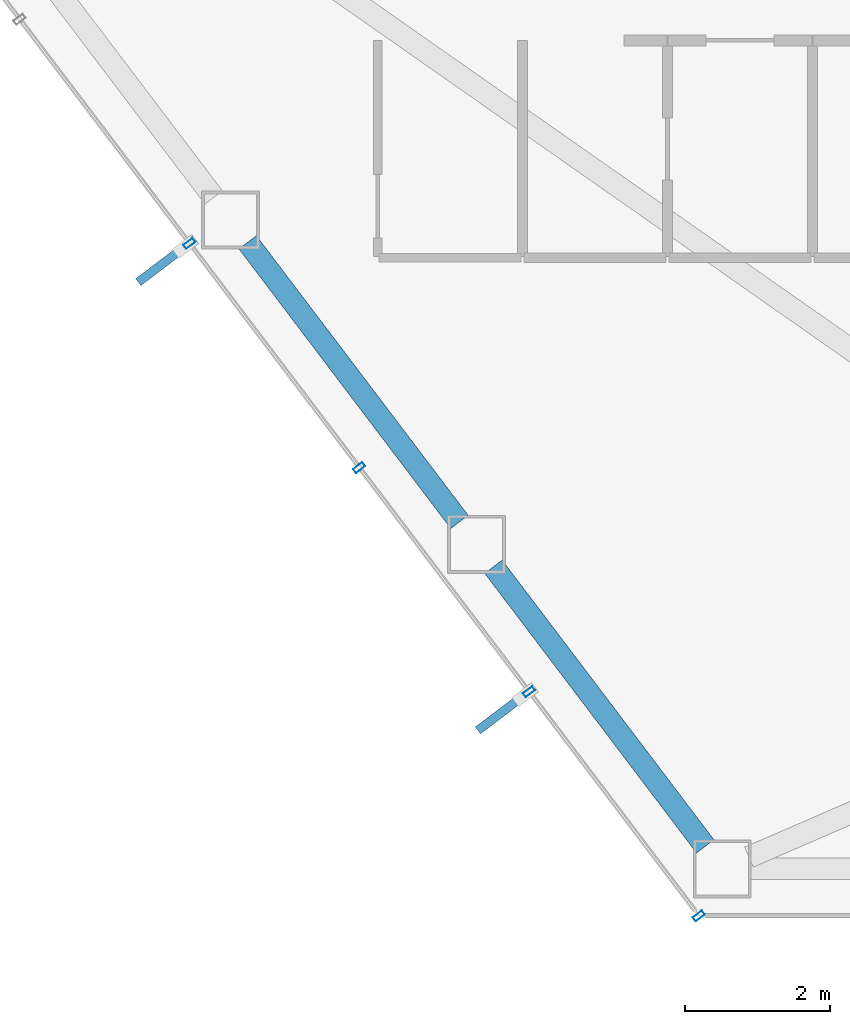
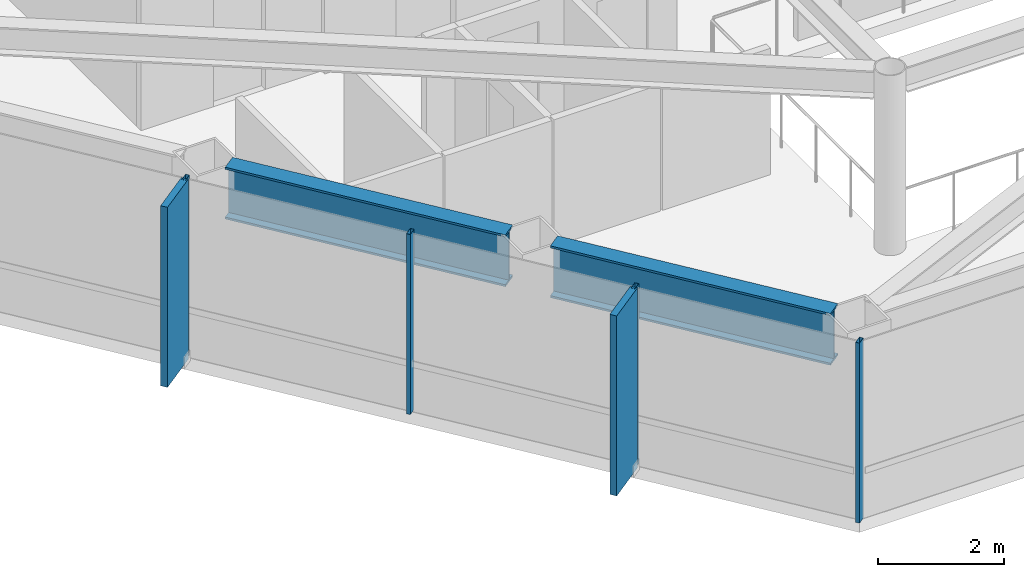
# One storey, part 2 of 28: 6 members, 2 beams, 1 element without a shape of its own.
"""IFC4 building model written with IfcOpenShell, lengths in metres."""

import ifcopenshell
import ifcopenshell.guid

model = None  # the IFC model being written
_history = None  # IfcOwnerHistory: only IFC2X3 demands one
_inside = {}  # id of a spatial element -> (the spatial element, [elements in it])
_under = {}  # id of a project, library or spatial element -> (it, [spatial elements below it])
_declared = {}  # id of a project -> (the project, [libraries it declares])
_typed = {}  # id of a type object -> (the type object, [elements of that type])
_made_of = {}  # id of a material, layer set ... -> (it, [elements and type objects made of it])


def new_model(schema):
    """Start an empty IFC model of exactly this schema.

    Asked for "IFC4X3", IfcOpenShell would pick the latest addendum, in which some entities
    have other attributes; the version numbers below select the first issue.
    IFC2X3 requires an IfcOwnerHistory on every rooted entity: one is made here for all.
    """
    global model, _history
    if schema == "IFC4X3":
        model = ifcopenshell.file(schema_version=(4, 3, 0, 0))
    else:
        model = ifcopenshell.file(schema=schema)
    _inside.clear()
    _under.clear()
    _declared.clear()
    _typed.clear()
    _made_of.clear()
    _history = None
    if model.schema == "IFC2X3":
        org = make("IfcOrganization", Name="unknown")
        user = make(
            "IfcPersonAndOrganization",
            ThePerson=make("IfcPerson", FamilyName="unknown"),
            TheOrganization=org,
        )
        app = make(
            "IfcApplication",
            ApplicationDeveloper=org,
            Version="unknown",
            ApplicationFullName="unknown",
            ApplicationIdentifier="unknown",
        )
        _history = make(
            "IfcOwnerHistory",
            OwningUser=user,
            OwningApplication=app,
            ChangeAction="ADDED",
            CreationDate=0,
        )
    return model


def make(cls, **values):
    """One entity of the class cls with the attributes given. An attribute that is None is left unset."""
    return model.create_entity(
        cls, **{name: value for name, value in values.items() if value is not None}
    )


def rooted(cls, **values):
    """An entity with a GlobalId (a new one), such as an element, a storey or a relation."""
    return make(cls, GlobalId=ifcopenshell.guid.new(), OwnerHistory=_history, **values)


def si_unit(unit_type, name, prefix=None):
    """IfcSIUnit, for example si_unit("LENGTHUNIT", "METRE", prefix="MILLI")."""
    return make("IfcSIUnit", UnitType=unit_type, Prefix=prefix, Name=name)


def assignment(units):
    """IfcUnitAssignment: the units of a project."""
    return None if units is None else make("IfcUnitAssignment", Units=units)


def point(xyz):
    """IfcCartesianPoint."""
    return None if xyz is None else make("IfcCartesianPoint", Coordinates=xyz)


def direction(xyz):
    """IfcDirection."""
    return None if xyz is None else make("IfcDirection", DirectionRatios=xyz)


def frame(location, z_axis=None, x_axis=None):
    """IfcAxis2Placement3D, a coordinate frame: its origin and axes. An axis left out is left unset."""
    return make(
        "IfcAxis2Placement3D",
        Location=point(location),
        Axis=direction(z_axis),
        RefDirection=direction(x_axis),
    )


def frame_2d(location, x_axis=None):
    """IfcAxis2Placement2D, a coordinate frame in the plane: its origin and x axis."""
    return make(
        "IfcAxis2Placement2D", Location=point(location), RefDirection=direction(x_axis)
    )


def origin():
    """The frame at (0, 0, 0) with its axes left unset."""
    return frame((0.0, 0.0, 0.0))


def origin_2d():
    """The frame at (0, 0) in the plane with its x axis left unset."""
    return frame_2d((0.0, 0.0))


def place(relative_to, where):
    """IfcLocalPlacement: puts the frame where relative to a parent placement (None: the world)."""
    return make(
        "IfcLocalPlacement", PlacementRelTo=relative_to, RelativePlacement=where
    )


def context(
    kind, dimensions, precision=None, world=None, true_north=None, identifier=None
):
    """IfcGeometricRepresentationContext, for example the 3D "Model" context."""
    return make(
        "IfcGeometricRepresentationContext",
        ContextIdentifier=identifier,
        ContextType=kind,
        CoordinateSpaceDimension=dimensions,
        Precision=precision,
        WorldCoordinateSystem=world,
        TrueNorth=true_north,
    )


def subcontext(parent, identifier, kind, view, scale=None):
    """IfcGeometricRepresentationSubContext, for example "Body" below "Model"."""
    return make(
        "IfcGeometricRepresentationSubContext",
        ContextIdentifier=identifier,
        ContextType=kind,
        ParentContext=parent,
        TargetScale=scale,
        TargetView=view,
    )


def project(units=None, contexts=None):
    """IfcProject with its units and contexts."""
    return rooted(
        "IfcProject",
        Name="project",
        RepresentationContexts=contexts,
        UnitsInContext=assignment(units),
    )


def spatial(cls, under=None, at=None, **own):
    """A site, building, storey or space (cls), placed at a placement, below another one or the project."""
    s = rooted(cls, ObjectPlacement=at, **own)
    if under is not None:
        _under.setdefault(under.id(), (under, []))[1].append(s)
    return s


def profile(cls, at=None, kind="AREA", **sizes):
    """A parametric profile (cls). Its sizes go by their IFC names, for example OverallWidth=200.0."""
    return make(cls, ProfileType=kind, Position=at, **sizes)


def rectangle(**sizes):
    """IfcRectangleProfileDef."""
    return profile("IfcRectangleProfileDef", **sizes)


def hollow_rectangle(**sizes):
    """IfcRectangleHollowProfileDef."""
    return profile("IfcRectangleHollowProfileDef", **sizes)


def i_section(**sizes):
    """IfcIShapeProfileDef."""
    return profile("IfcIShapeProfileDef", **sizes)


def extrude(swept, where, along, depth):
    """IfcExtrudedAreaSolid: the profile swept, set in the frame where, extruded along a direction by depth."""
    return make(
        "IfcExtrudedAreaSolid",
        SweptArea=swept,
        Position=where,
        ExtrudedDirection=direction(along),
        Depth=depth,
    )


def shape(context_of_items, identifier, shape_type, items):
    """IfcShapeRepresentation: the items that make up one representation, for example the "Body"."""
    return make(
        "IfcShapeRepresentation",
        ContextOfItems=context_of_items,
        RepresentationIdentifier=identifier,
        RepresentationType=shape_type,
        Items=items,
    )


def material(Name=None, Category=None):
    """IfcMaterial."""
    return make("IfcMaterial", Name=Name, Category=Category)


def layer(
    of_material, thickness, ventilated=None, Name=None, Category=None, Priority=None
):
    """IfcMaterialLayer: one layer of a wall or slab, of a material (None: an air gap)."""
    return make(
        "IfcMaterialLayer",
        Material=of_material,
        LayerThickness=thickness,
        IsVentilated=ventilated,
        Name=Name,
        Category=Category,
        Priority=Priority,
    )


def layer_set(layers, Name=None):
    """IfcMaterialLayerSet."""
    return make("IfcMaterialLayerSet", MaterialLayers=layers, LayerSetName=Name)


def material_profile(
    of_material, cross_section, Name=None, Category=None, Priority=None
):
    """IfcMaterialProfile: a cross section and its material."""
    return make(
        "IfcMaterialProfile",
        Name=Name,
        Material=of_material,
        Profile=cross_section,
        Priority=Priority,
        Category=Category,
    )


def profile_set(profiles, Name=None, composite=None):
    """IfcMaterialProfileSet."""
    return make(
        "IfcMaterialProfileSet",
        Name=Name,
        MaterialProfiles=profiles,
        CompositeProfile=composite,
    )


def made_of(thing, what):
    """Note that an element or type object is made of a material, layer set ...; save() writes the relation."""
    if what is not None:
        _made_of.setdefault(what.id(), (what, []))[1].append(thing)
    return thing


def type_object(cls, material=None, **own):
    """A type object (cls), such as IfcWallType, which elements share."""
    return made_of(rooted(cls, **own), material)


def element(
    cls,
    number,
    at=None,
    inside=None,
    cuts=None,
    type_object=None,
    material=None,
    context=None,
    identifier="Body",
    shape_type=None,
    held_by="IfcProductDefinitionShape",
    body=None,
    shapes=None,
    **own,
):
    """One element of the class cls, such as IfcWall. Its Tag is "e" and its number.

    at: its placement. inside: the storey or other place that contains it. cuts: it is an
    opening in that element (IfcRelVoidsElement). A single representation is given by context,
    identifier, shape_type and body (its items); several are given by shapes. held_by: the class
    of the entity that holds the representations. save() writes the other relations.
    """
    e = rooted(cls, Tag="e%d" % number, ObjectPlacement=at, **own)
    if body is not None:
        shapes = [shape(context, identifier, shape_type, body)]
    if shapes is not None:
        e.Representation = make(held_by, Representations=shapes)
    if inside is not None:
        _inside.setdefault(inside.id(), (inside, []))[1].append(e)
    if cuts is not None:
        rooted(
            "IfcRelVoidsElement", RelatingBuildingElement=cuts, RelatedOpeningElement=e
        )
    if type_object is not None:
        _typed.setdefault(type_object.id(), (type_object, []))[1].append(e)
    return made_of(e, material)


def aggregate(whole, parts):
    """IfcRelAggregates: a whole, such as a stair, and the parts it consists of."""
    return rooted("IfcRelAggregates", RelatingObject=whole, RelatedObjects=parts)


def save(model, path):
    """Write the relations noted so far, then the file.

    IfcRelAggregates (storeys below a building ...), IfcRelContainedInSpatialStructure (elements
    in a storey), IfcRelDefinesByType, IfcRelAssociatesMaterial and IfcRelDeclares: one each for
    every whole, place, type object, material and project.
    """
    for whole, parts in _under.values():
        aggregate(whole, parts)
    for where, things in _inside.values():
        rooted(
            "IfcRelContainedInSpatialStructure",
            RelatedElements=things,
            RelatingStructure=where,
        )
    for kind, things in _typed.values():
        rooted("IfcRelDefinesByType", RelatedObjects=things, RelatingType=kind)
    for what, things in _made_of.values():
        rooted("IfcRelAssociatesMaterial", RelatedObjects=things, RelatingMaterial=what)
    for by, libraries in _declared.values():
        rooted("IfcRelDeclares", RelatingContext=by, RelatedDefinitions=libraries)
    model.write(path)


model = new_model("IFC4")

# Units and contexts
model_context = context("Model", 3, precision=1e-05, world=origin(), true_north=direction((0.0, 1.0)))
body_context = subcontext(model_context, "Body", "Model", "MODEL_VIEW")
ifc_project = project(units=[si_unit("LENGTHUNIT", "METRE"), si_unit("AREAUNIT", "SQUARE_METRE"), si_unit("VOLUMEUNIT", "CUBIC_METRE"), si_unit("PLANEANGLEUNIT", "RADIAN"), si_unit("MASSUNIT", "GRAM", prefix="KILO")], contexts=[model_context])

# Site, building, storey
site_placement = place(None, origin())
site = spatial("IfcSite", under=ifc_project, at=site_placement, CompositionType="ELEMENT")
building_placement = place(site_placement, origin())
building = spatial("IfcBuilding", under=site, at=building_placement, Name="Zarrinselat Tower", CompositionType="ELEMENT")
storey_placement = place(building_placement, frame((0.0, 0.0, 123.419921875)))
storey = spatial("IfcBuildingStorey", under=building, at=storey_placement, Name="L29", CompositionType="ELEMENT", Elevation=123.419921875)

# Beams
ifc_material_1 = material(Name="Steel S460M", Category="steel")
ifc_material_profile_1 = material_profile(ifc_material_1, i_section(OverallWidth=0.302001953125, OverallDepth=1.008056640625, WebThickness=0.02099609375, FlangeThickness=0.0400390625, at=origin_2d()), Name="HEM 1000")
ifc_profile_set_1 = profile_set([ifc_material_profile_1], Name="Steel S460M")
beam_type = type_object("IfcBeamType", Name="BM-HEM1000", PredefinedType="BEAM", material=ifc_profile_set_1)
beam_1_placement = place(storey_placement, frame((23.354248046875, 27.36328125, 2.99609375), z_axis=(0.603873219646, -0.797080381514, 0.0), x_axis=(0.797080381514, 0.603873219646, 0.0)))
element("IfcBeam", 1, at=beam_1_placement, inside=storey, type_object=beam_type, Name="L29 Perimeter Spandrel Girder SP08", PredefinedType="BEAM", context=body_context, shape_type="SweptSolid", body=[
    extrude(i_section(OverallWidth=0.302001953125, OverallDepth=1.008056640625, WebThickness=0.02099609375, FlangeThickness=0.0400390625, at=origin_2d()), origin(), (0.0, 0.0, 1.0), 4.84228515625),
])
beam_2_placement = place(storey_placement, frame((26.746826171875, 22.885009765625, 2.99609375), z_axis=(0.603897488991, -0.79706199432, 0.0), x_axis=(0.79706199432, 0.603897488991, 0.0)))
element("IfcBeam", 2, at=beam_2_placement, inside=storey, type_object=beam_type, Name="L29 Perimeter Spandrel Girder SP09", PredefinedType="BEAM", context=body_context, shape_type="SweptSolid", body=[
    extrude(i_section(OverallWidth=0.302001953125, OverallDepth=1.008056640625, WebThickness=0.02099609375, FlangeThickness=0.0400390625, at=origin_2d()), origin(), (0.0, 0.0, 1.0), 4.842041015625),
])

# Curtain wall, members
ifc_material_2 = material(Name="Extruded Aluminium Alloy EN AW-6063 T6", Category="aluminium")
ifc_layer = layer(ifc_material_2, 0.175048828125)
ifc_layer_set = layer_set([ifc_layer], Name="Extruded Aluminium Alloy EN AW-6063 T6")
curtain_wall_type = type_object("IfcCurtainWallType", Name="CWS-HTL", PredefinedType="NOTDEFINED", material=ifc_layer_set)
curtain_wall_placement = place(storey_placement, origin())
curtain_wall = element("IfcCurtainWall", 3, at=curtain_wall_placement, inside=storey, type_object=curtain_wall_type, Name="L29 Unitised Curtain Wall CW-L29-E03", PredefinedType="NOTDEFINED")
ifc_material_3 = material(Name="Extruded Aluminium Alloy EN AW-6063 T6", Category="aluminium")
ifc_material_profile_2 = material_profile(ifc_material_3, hollow_rectangle(XDim=0.070068359375, YDim=0.159912109375, WallThickness=0.00390625, at=origin_2d()), Name="RHS 160x70x4")
ifc_profile_set_2 = profile_set([ifc_material_profile_2], Name="Extruded Aluminium Alloy EN AW-6063 T6")
member_type_1 = type_object("IfcMemberType", Name="MEM-CW-MUL2", PredefinedType="MULLION", material=ifc_profile_set_2)
member_1_placement = place(storey_placement, frame((22.55078125, 27.34765625, 0.0), z_axis=(0.0, 0.0, 1.0), x_axis=(0.603858349394, -0.797091647094, 0.0)))
member_1 = element("IfcMember", 4, at=member_1_placement, type_object=member_type_1, Name="CW-L29-E03 Mullion 3", PredefinedType="MULLION", context=body_context, shape_type="SweptSolid", body=[
    extrude(hollow_rectangle(XDim=0.070068359375, YDim=0.159912109375, WallThickness=0.00390625, at=origin_2d()), origin(), (0.0, 0.0, 1.0), 3.5),
])
member_2_placement = place(storey_placement, frame((24.89453125, 24.25390625, 0.0), z_axis=(0.0, 0.0, 1.0), x_axis=(0.603858349394, -0.797091647094, 0.0)))
member_2 = element("IfcMember", 5, at=member_2_placement, type_object=member_type_1, Name="CW-L29-E03 Mullion 4", PredefinedType="MULLION", context=body_context, shape_type="SweptSolid", body=[
    extrude(hollow_rectangle(XDim=0.070068359375, YDim=0.159912109375, WallThickness=0.00390625, at=origin_2d()), origin(), (0.0, 0.0, 1.0), 3.5),
])
member_3_placement = place(storey_placement, frame((27.23828125, 21.16015625, 0.0), z_axis=(0.0, 0.0, 1.0), x_axis=(0.603858349394, -0.797091647094, 0.0)))
member_3 = element("IfcMember", 6, at=member_3_placement, type_object=member_type_1, Name="CW-L29-E03 Mullion 5", PredefinedType="MULLION", context=body_context, shape_type="SweptSolid", body=[
    extrude(hollow_rectangle(XDim=0.070068359375, YDim=0.159912109375, WallThickness=0.00390625, at=origin_2d()), origin(), (0.0, 0.0, 1.0), 3.5),
])
member_4_placement = place(storey_placement, frame((29.58203125, 18.06640625, 0.0), z_axis=(0.0, 0.0, 1.0), x_axis=(0.603858349394, -0.797091647094, 0.0)))
member_4 = element("IfcMember", 7, at=member_4_placement, type_object=member_type_1, Name="CW-L29-E03 Mullion 6", PredefinedType="MULLION", context=body_context, shape_type="SweptSolid", body=[
    extrude(hollow_rectangle(XDim=0.070068359375, YDim=0.159912109375, WallThickness=0.00390625, at=origin_2d()), origin(), (0.0, 0.0, 1.0), 3.5),
])
ifc_material_4 = material(Name="Honed Cream Travertine Stone", Category="masonry")
ifc_material_profile_3 = material_profile(ifc_material_4, rectangle(XDim=0.1201171875, YDim=0.85009765625, at=origin_2d()), Name="FIN 850x120")
ifc_profile_set_3 = profile_set([ifc_material_profile_3], Name="Honed Cream Travertine Stone")
member_type_2 = type_object("IfcMemberType", Name="MEM-STONE-FIN", PredefinedType="USERDEFINED", material=ifc_profile_set_3)
member_5_placement = place(storey_placement, frame((22.18408203125, 27.06982421875, 0.0), z_axis=(0.0, 0.0, 1.0), x_axis=(-0.603858349394, 0.797091647094, 0.0)))
member_5 = element("IfcMember", 8, at=member_5_placement, type_object=member_type_2, Name="L29 Stone Shading Fin CW-L29-E03-03", ObjectType="FIN", PredefinedType="USERDEFINED", context=body_context, shape_type="SweptSolid", body=[
    extrude(rectangle(XDim=0.1201171875, YDim=0.85009765625, at=origin_2d()), origin(), (0.0, 0.0, 1.0), 3.5),
])
member_6_placement = place(storey_placement, frame((26.87158203125, 20.88232421875, 0.0), z_axis=(0.0, 0.0, 1.0), x_axis=(-0.603858349394, 0.797091647094, 0.0)))
member_6 = element("IfcMember", 9, at=member_6_placement, type_object=member_type_2, Name="L29 Stone Shading Fin CW-L29-E03-05", ObjectType="FIN", PredefinedType="USERDEFINED", context=body_context, shape_type="SweptSolid", body=[
    extrude(rectangle(XDim=0.1201171875, YDim=0.85009765625, at=origin_2d()), origin(), (0.0, 0.0, 1.0), 3.5),
])
aggregate(curtain_wall, [member_1, member_5, member_2, member_3, member_6, member_4])

save(model, "model.ifc")
